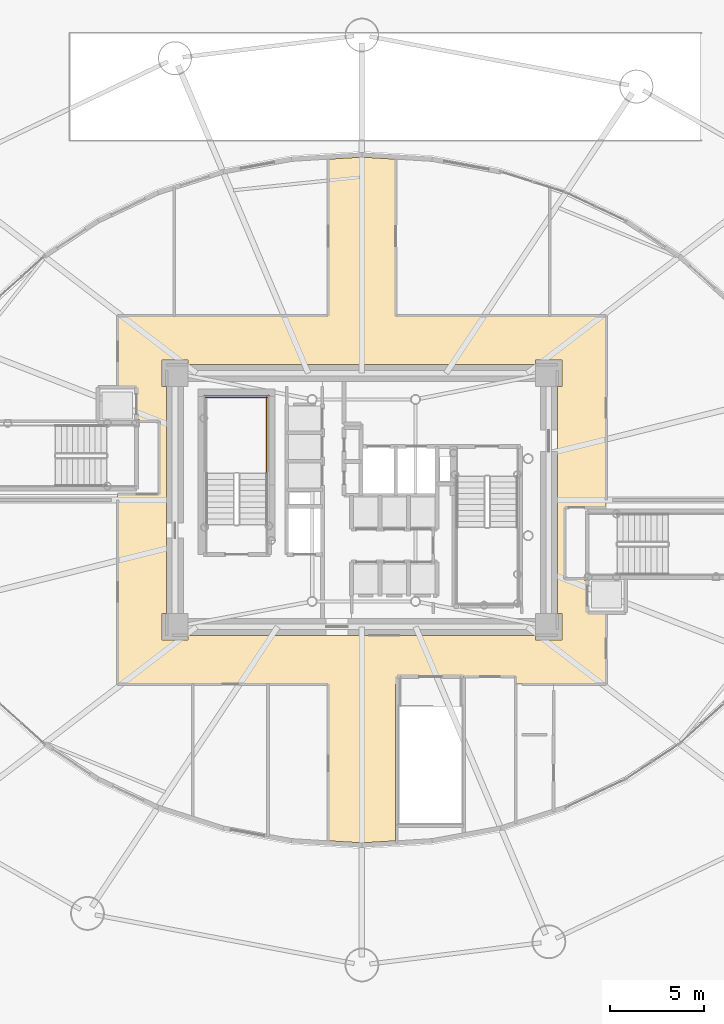
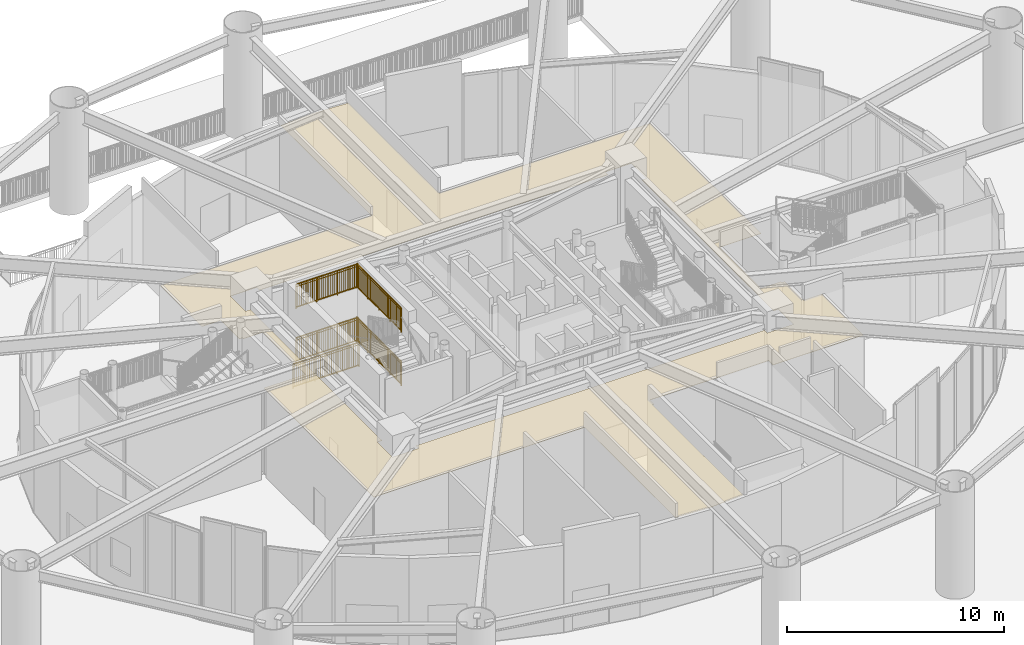
# One storey, part 38 of 46: 5 railings, 1 covering.
"""IFC4 building model written with IfcOpenShell, lengths in metres."""

from ifc_helpers import new_model, si_unit, direction, frame, origin, origin_2d, place, context, subcontext, project, spatial, polyline, rectangle, outline, extrude, source, transform, mapped, material, layer, layer_set, type_object, element, save


model = new_model("IFC4")

# Units and contexts
model_context = context("Model", 3, precision=1e-05, world=origin(), true_north=direction((0.0, 1.0)))
body_context = subcontext(model_context, "Body", "Model", "MODEL_VIEW")
ifc_project = project(units=[si_unit("LENGTHUNIT", "METRE"), si_unit("AREAUNIT", "SQUARE_METRE"), si_unit("VOLUMEUNIT", "CUBIC_METRE"), si_unit("PLANEANGLEUNIT", "RADIAN"), si_unit("MASSUNIT", "GRAM", prefix="KILO")], contexts=[model_context])

# Site, building, storey
site_placement = place(None, origin())
site = spatial("IfcSite", under=ifc_project, at=site_placement, CompositionType="ELEMENT")
building_placement = place(site_placement, origin())
building = spatial("IfcBuilding", under=site, at=building_placement, Name="Linh Dai School and Residence Tower", CompositionType="ELEMENT")
storey_placement = place(building_placement, origin())
storey = spatial("IfcBuildingStorey", under=building, at=storey_placement, Name="L00", CompositionType="ELEMENT", Elevation=0.0)

# Covering
ifc_material_1 = material(Name="Mineral Fibre Acoustic Suspended Ceiling", Category="masonry")
ifc_layer = layer(ifc_material_1, 0.02001953125)
ifc_layer_set = layer_set([ifc_layer], Name="Mineral Fibre Acoustic Suspended Ceiling")
covering_type = type_object("IfcCoveringType", Name="COV-CEIL-AC-20", PredefinedType="CEILING", material=ifc_layer_set)
covering_placement = place(storey_placement, frame((0.0, 0.0, 4.800048828125)))
element("IfcCovering", 1, at=covering_placement, inside=storey, type_object=covering_type, Name="L00 Ground Entrance Concourse and Main Foyer Suspended Ceiling", PredefinedType="CEILING", context=body_context, shape_type="SweptSolid", body=[
    extrude(outline(polyline([(36.0, 8.75), (34.199951171875, 8.859130859375), (34.199951171875, 17.199951171875), (23.0, 17.199951171875), (23.0, 27.300048828125), (25.199951171875, 27.300048828125), (25.199951171875, 31.199951171875), (24.1533203125, 31.199951171875), (24.1533203125, 31.283203125), (24.0, 31.283203125), (24.0, 33.0), (23.0, 33.0), (23.0, 36.800048828125), (34.199951171875, 36.800048828125), (34.199951171875, 45.140869140625), (36.0, 45.25), (37.800048828125, 45.140869140625), (37.800048828125, 36.800048828125), (49.0, 36.800048828125), (49.0, 26.60009765625), (46.800048828125, 26.60009765625), (46.800048828125, 22.800048828125), (47.8466796875, 22.800048828125), (47.8466796875, 22.716796875), (48.0, 22.716796875), (48.0, 21.0), (49.0, 21.0), (49.0, 17.199951171875), (44.199951171875, 17.199951171875), (44.199951171875, 17.60009765625), (37.8798828125, 17.60009765625), (37.8798828125, 17.199951171875), (37.800048828125, 17.199951171875), (37.800048828125, 8.859130859375), (36.0, 8.75)]), holes=[polyline([(26.75, 34.199951171875), (26.75, 34.449951171875), (25.35009765625, 34.449951171875), (25.35009765625, 33.050048828125), (25.60009765625, 33.050048828125), (25.60009765625, 20.949951171875), (25.35009765625, 20.949951171875), (25.35009765625, 19.550048828125), (26.75, 19.550048828125), (26.75, 19.800048828125), (45.25, 19.800048828125), (45.25, 19.550048828125), (46.64990234375, 19.550048828125), (46.64990234375, 20.949951171875), (46.39990234375, 20.949951171875), (46.39990234375, 33.050048828125), (46.64990234375, 33.050048828125), (46.64990234375, 34.449951171875), (45.25, 34.449951171875), (45.25, 34.199951171875), (26.75, 34.199951171875)])]), origin(), (0.0, 0.0, 1.0), 0.02001953125),
])

# Railings
ifc_material_2 = material(Name="Structural Steel S355JR", Category="steel")
railing_type = type_object("IfcRailingType", Name="RL-ST-GUARD-1400", PredefinedType="GUARDRAIL", material=ifc_material_2)
shared_shape_1 = source(origin(), body_context, "Body", "SweptSolid", [
    extrude(rectangle(XDim=0.048095703125, YDim=0.048095703125, at=origin_2d()), frame((0.0, 0.0, 1.3759765625), z_axis=(-1.0, 0.0, 0.0), x_axis=(0.0, -1.0, 0.0)), (0.0, 0.0, 1.0), 3.300048828125),
    extrude(rectangle(XDim=0.048095703125, YDim=0.048095703125, at=origin_2d()), frame((0.0, 0.0, 0.10009765625), z_axis=(-1.0, 0.0, 0.0), x_axis=(0.0, -1.0, 0.0)), (0.0, 0.0, 1.0), 3.300048828125),
    extrude(rectangle(XDim=0.030029296875, YDim=0.030029296875, at=origin_2d()), frame((0.0, 0.0, 1.239990234375), z_axis=(-1.0, 0.0, 0.0), x_axis=(0.0, -1.0, 0.0)), (0.0, 0.0, 1.0), 3.300048828125),
    extrude(rectangle(XDim=0.02001953125, YDim=0.02001953125, at=origin_2d()), frame((-0.09716796875, 0.0, 0.10009765625)), (0.0, 0.0, 1.0), 1.251708984375),
    extrude(rectangle(XDim=0.02001953125, YDim=0.02001953125, at=origin_2d()), frame((-0.194091796875, 0.0, 0.10009765625)), (0.0, 0.0, 1.0), 1.251708984375),
    extrude(rectangle(XDim=0.02001953125, YDim=0.02001953125, at=origin_2d()), frame((-0.291259765625, 0.0, 0.10009765625)), (0.0, 0.0, 1.0), 1.251708984375),
    extrude(rectangle(XDim=0.02001953125, YDim=0.02001953125, at=origin_2d()), frame((-0.38818359375, 0.0, 0.10009765625)), (0.0, 0.0, 1.0), 1.251708984375),
    extrude(rectangle(XDim=0.02001953125, YDim=0.02001953125, at=origin_2d()), frame((-0.4853515625, 0.0, 0.10009765625)), (0.0, 0.0, 1.0), 1.251708984375),
    extrude(rectangle(XDim=0.02001953125, YDim=0.02001953125, at=origin_2d()), frame((-0.582275390625, 0.0, 0.10009765625)), (0.0, 0.0, 1.0), 1.251708984375),
    extrude(rectangle(XDim=0.02001953125, YDim=0.02001953125, at=origin_2d()), frame((-0.679443359375, 0.0, 0.10009765625)), (0.0, 0.0, 1.0), 1.251708984375),
    extrude(rectangle(XDim=0.02001953125, YDim=0.02001953125, at=origin_2d()), frame((-0.7763671875, 0.0, 0.10009765625)), (0.0, 0.0, 1.0), 1.251708984375),
    extrude(rectangle(XDim=0.02001953125, YDim=0.02001953125, at=origin_2d()), frame((-0.87353515625, 0.0, 0.10009765625)), (0.0, 0.0, 1.0), 1.251708984375),
    extrude(rectangle(XDim=0.02001953125, YDim=0.02001953125, at=origin_2d()), frame((-0.970703125, 0.0, 0.10009765625)), (0.0, 0.0, 1.0), 1.251708984375),
    extrude(rectangle(XDim=0.02001953125, YDim=0.02001953125, at=origin_2d()), frame((-1.164794921875, 0.0, 0.10009765625)), (0.0, 0.0, 1.0), 1.251708984375),
    extrude(rectangle(XDim=0.02001953125, YDim=0.02001953125, at=origin_2d()), frame((-1.26171875, 0.0, 0.10009765625)), (0.0, 0.0, 1.0), 1.251708984375),
    extrude(rectangle(XDim=0.02001953125, YDim=0.02001953125, at=origin_2d()), frame((-1.35888671875, 0.0, 0.10009765625)), (0.0, 0.0, 1.0), 1.251708984375),
    extrude(rectangle(XDim=0.02001953125, YDim=0.02001953125, at=origin_2d()), frame((-1.455810546875, 0.0, 0.10009765625)), (0.0, 0.0, 1.0), 1.251708984375),
    extrude(rectangle(XDim=0.02001953125, YDim=0.02001953125, at=origin_2d()), frame((-1.552978515625, 0.0, 0.10009765625)), (0.0, 0.0, 1.0), 1.251708984375),
    extrude(rectangle(XDim=0.02001953125, YDim=0.02001953125, at=origin_2d()), frame((-1.64990234375, 0.0, 0.10009765625)), (0.0, 0.0, 1.0), 1.251708984375),
    extrude(rectangle(XDim=0.02001953125, YDim=0.02001953125, at=origin_2d()), frame((-1.7470703125, 0.0, 0.10009765625)), (0.0, 0.0, 1.0), 1.251708984375),
    extrude(rectangle(XDim=0.02001953125, YDim=0.02001953125, at=origin_2d()), frame((-1.84423828125, 0.0, 0.10009765625)), (0.0, 0.0, 1.0), 1.251708984375),
    extrude(rectangle(XDim=0.02001953125, YDim=0.02001953125, at=origin_2d()), frame((-1.941162109375, 0.0, 0.10009765625)), (0.0, 0.0, 1.0), 1.251708984375),
    extrude(rectangle(XDim=0.02001953125, YDim=0.02001953125, at=origin_2d()), frame((-2.038330078125, 0.0, 0.10009765625)), (0.0, 0.0, 1.0), 1.251708984375),
    extrude(rectangle(XDim=0.02001953125, YDim=0.02001953125, at=origin_2d()), frame((-2.13525390625, 0.0, 0.10009765625)), (0.0, 0.0, 1.0), 1.251708984375),
    extrude(rectangle(XDim=0.02001953125, YDim=0.02001953125, at=origin_2d()), frame((-2.329345703125, 0.0, 0.10009765625)), (0.0, 0.0, 1.0), 1.251708984375),
    extrude(rectangle(XDim=0.02001953125, YDim=0.02001953125, at=origin_2d()), frame((-2.426513671875, 0.0, 0.10009765625)), (0.0, 0.0, 1.0), 1.251708984375),
    extrude(rectangle(XDim=0.02001953125, YDim=0.02001953125, at=origin_2d()), frame((-2.523681640625, 0.0, 0.10009765625)), (0.0, 0.0, 1.0), 1.251708984375),
    extrude(rectangle(XDim=0.02001953125, YDim=0.02001953125, at=origin_2d()), frame((-2.62060546875, 0.0, 0.10009765625)), (0.0, 0.0, 1.0), 1.251708984375),
    extrude(rectangle(XDim=0.02001953125, YDim=0.02001953125, at=origin_2d()), frame((-2.7177734375, 0.0, 0.10009765625)), (0.0, 0.0, 1.0), 1.251708984375),
    extrude(rectangle(XDim=0.02001953125, YDim=0.02001953125, at=origin_2d()), frame((-2.814697265625, 0.0, 0.10009765625)), (0.0, 0.0, 1.0), 1.251708984375),
    extrude(rectangle(XDim=0.02001953125, YDim=0.02001953125, at=origin_2d()), frame((-2.911865234375, 0.0, 0.10009765625)), (0.0, 0.0, 1.0), 1.251708984375),
    extrude(rectangle(XDim=0.02001953125, YDim=0.02001953125, at=origin_2d()), frame((-3.0087890625, 0.0, 0.10009765625)), (0.0, 0.0, 1.0), 1.251708984375),
    extrude(rectangle(XDim=0.02001953125, YDim=0.02001953125, at=origin_2d()), frame((-3.10595703125, 0.0, 0.10009765625)), (0.0, 0.0, 1.0), 1.251708984375),
    extrude(rectangle(XDim=0.02001953125, YDim=0.02001953125, at=origin_2d()), frame((-3.202880859375, 0.0, 0.10009765625)), (0.0, 0.0, 1.0), 1.251708984375),
    extrude(rectangle(XDim=0.0419921875, YDim=0.0419921875, at=origin_2d()), origin(), (0.0, 0.0, 1.0), 1.3759765625),
    extrude(rectangle(XDim=0.0419921875, YDim=0.0419921875, at=origin_2d()), frame((-1.10009765625, 0.0, 0.0)), (0.0, 0.0, 1.0), 1.3759765625),
    extrude(rectangle(XDim=0.0419921875, YDim=0.0419921875, at=origin_2d()), frame((-2.199951171875, 0.0, 0.0)), (0.0, 0.0, 1.0), 1.3759765625),
    extrude(rectangle(XDim=0.0419921875, YDim=0.0419921875, at=origin_2d()), frame((-3.300048828125, 0.0, 0.0)), (0.0, 0.0, 1.0), 1.3759765625),
])
for number, where, name in (
    (2, (30.97998046875, 32.449951171875, 1.5), "L00 ST1 stair guard 5"),
    (3, (30.97998046875, 32.449951171875, 4.5), "L00 ST1 stair guard 14"),
):
    element("IfcRailing", number, at=place(storey_placement, frame(where)), inside=storey, type_object=railing_type, Name=name, PredefinedType="GUARDRAIL", context=body_context, shape_type="MappedRepresentation", body=[
        mapped(shared_shape_1, transform((0.0, 0.0, 0.0), x_axis=(1.0, 0.0, 0.0), y_axis=(0.0, 1.0, 0.0), z_axis=(0.0, 0.0, 1.0), scale=1.0)),
    ])
shared_shape_2 = source(origin(), body_context, "Body", "SweptSolid", [
    extrude(rectangle(XDim=0.048095703125, YDim=0.048095703125, at=origin_2d()), frame((0.0, 0.0, 1.3759765625), z_axis=(-1.0, 0.0, 0.0), x_axis=(0.0, -1.0, 0.0)), (0.0, 0.0, 1.0), 3.5),
    extrude(rectangle(XDim=0.048095703125, YDim=0.048095703125, at=origin_2d()), frame((0.0, 0.0, 0.10009765625), z_axis=(-1.0, 0.0, 0.0), x_axis=(0.0, -1.0, 0.0)), (0.0, 0.0, 1.0), 3.5),
    extrude(rectangle(XDim=0.030029296875, YDim=0.030029296875, at=origin_2d()), frame((0.0, 0.0, 1.239990234375), z_axis=(-1.0, 0.0, 0.0), x_axis=(0.0, -1.0, 0.0)), (0.0, 0.0, 1.0), 3.5),
    extrude(rectangle(XDim=0.02001953125, YDim=0.02001953125, at=origin_2d()), frame((-0.09716796875, 0.0, 0.10009765625)), (0.0, 0.0, 1.0), 1.251708984375),
    extrude(rectangle(XDim=0.02001953125, YDim=0.02001953125, at=origin_2d()), frame((-0.1943359375, 0.0, 0.10009765625)), (0.0, 0.0, 1.0), 1.251708984375),
    extrude(rectangle(XDim=0.02001953125, YDim=0.02001953125, at=origin_2d()), frame((-0.291748046875, 0.0, 0.10009765625)), (0.0, 0.0, 1.0), 1.251708984375),
    extrude(rectangle(XDim=0.02001953125, YDim=0.02001953125, at=origin_2d()), frame((-0.388916015625, 0.0, 0.10009765625)), (0.0, 0.0, 1.0), 1.251708984375),
    extrude(rectangle(XDim=0.02001953125, YDim=0.02001953125, at=origin_2d()), frame((-0.486083984375, 0.0, 0.10009765625)), (0.0, 0.0, 1.0), 1.251708984375),
    extrude(rectangle(XDim=0.02001953125, YDim=0.02001953125, at=origin_2d()), frame((-0.583251953125, 0.0, 0.10009765625)), (0.0, 0.0, 1.0), 1.251708984375),
    extrude(rectangle(XDim=0.02001953125, YDim=0.02001953125, at=origin_2d()), frame((-0.6806640625, 0.0, 0.10009765625)), (0.0, 0.0, 1.0), 1.251708984375),
    extrude(rectangle(XDim=0.02001953125, YDim=0.02001953125, at=origin_2d()), frame((-0.77783203125, 0.0, 0.10009765625)), (0.0, 0.0, 1.0), 1.251708984375),
    extrude(rectangle(XDim=0.02001953125, YDim=0.02001953125, at=origin_2d()), frame((-0.875, 0.0, 0.10009765625)), (0.0, 0.0, 1.0), 1.251708984375),
    extrude(rectangle(XDim=0.02001953125, YDim=0.02001953125, at=origin_2d()), frame((-0.97216796875, 0.0, 0.10009765625)), (0.0, 0.0, 1.0), 1.251708984375),
    extrude(rectangle(XDim=0.02001953125, YDim=0.02001953125, at=origin_2d()), frame((-1.0693359375, 0.0, 0.10009765625)), (0.0, 0.0, 1.0), 1.251708984375),
    extrude(rectangle(XDim=0.02001953125, YDim=0.02001953125, at=origin_2d()), frame((-1.263916015625, 0.0, 0.10009765625)), (0.0, 0.0, 1.0), 1.251708984375),
    extrude(rectangle(XDim=0.02001953125, YDim=0.02001953125, at=origin_2d()), frame((-1.361083984375, 0.0, 0.10009765625)), (0.0, 0.0, 1.0), 1.251708984375),
    extrude(rectangle(XDim=0.02001953125, YDim=0.02001953125, at=origin_2d()), frame((-1.458251953125, 0.0, 0.10009765625)), (0.0, 0.0, 1.0), 1.251708984375),
    extrude(rectangle(XDim=0.02001953125, YDim=0.02001953125, at=origin_2d()), frame((-1.5556640625, 0.0, 0.10009765625)), (0.0, 0.0, 1.0), 1.251708984375),
    extrude(rectangle(XDim=0.02001953125, YDim=0.02001953125, at=origin_2d()), frame((-1.65283203125, 0.0, 0.10009765625)), (0.0, 0.0, 1.0), 1.251708984375),
    extrude(rectangle(XDim=0.02001953125, YDim=0.02001953125, at=origin_2d()), frame((-1.75, 0.0, 0.10009765625)), (0.0, 0.0, 1.0), 1.251708984375),
    extrude(rectangle(XDim=0.02001953125, YDim=0.02001953125, at=origin_2d()), frame((-1.84716796875, 0.0, 0.10009765625)), (0.0, 0.0, 1.0), 1.251708984375),
    extrude(rectangle(XDim=0.02001953125, YDim=0.02001953125, at=origin_2d()), frame((-1.9443359375, 0.0, 0.10009765625)), (0.0, 0.0, 1.0), 1.251708984375),
    extrude(rectangle(XDim=0.02001953125, YDim=0.02001953125, at=origin_2d()), frame((-2.041748046875, 0.0, 0.10009765625)), (0.0, 0.0, 1.0), 1.251708984375),
    extrude(rectangle(XDim=0.02001953125, YDim=0.02001953125, at=origin_2d()), frame((-2.138916015625, 0.0, 0.10009765625)), (0.0, 0.0, 1.0), 1.251708984375),
    extrude(rectangle(XDim=0.02001953125, YDim=0.02001953125, at=origin_2d()), frame((-2.236083984375, 0.0, 0.10009765625)), (0.0, 0.0, 1.0), 1.251708984375),
    extrude(rectangle(XDim=0.02001953125, YDim=0.02001953125, at=origin_2d()), frame((-2.4306640625, 0.0, 0.10009765625)), (0.0, 0.0, 1.0), 1.251708984375),
    extrude(rectangle(XDim=0.02001953125, YDim=0.02001953125, at=origin_2d()), frame((-2.52783203125, 0.0, 0.10009765625)), (0.0, 0.0, 1.0), 1.251708984375),
    extrude(rectangle(XDim=0.02001953125, YDim=0.02001953125, at=origin_2d()), frame((-2.625, 0.0, 0.10009765625)), (0.0, 0.0, 1.0), 1.251708984375),
    extrude(rectangle(XDim=0.02001953125, YDim=0.02001953125, at=origin_2d()), frame((-2.72216796875, 0.0, 0.10009765625)), (0.0, 0.0, 1.0), 1.251708984375),
    extrude(rectangle(XDim=0.02001953125, YDim=0.02001953125, at=origin_2d()), frame((-2.8193359375, 0.0, 0.10009765625)), (0.0, 0.0, 1.0), 1.251708984375),
    extrude(rectangle(XDim=0.02001953125, YDim=0.02001953125, at=origin_2d()), frame((-2.916748046875, 0.0, 0.10009765625)), (0.0, 0.0, 1.0), 1.251708984375),
    extrude(rectangle(XDim=0.02001953125, YDim=0.02001953125, at=origin_2d()), frame((-3.013916015625, 0.0, 0.10009765625)), (0.0, 0.0, 1.0), 1.251708984375),
    extrude(rectangle(XDim=0.02001953125, YDim=0.02001953125, at=origin_2d()), frame((-3.111083984375, 0.0, 0.10009765625)), (0.0, 0.0, 1.0), 1.251708984375),
    extrude(rectangle(XDim=0.02001953125, YDim=0.02001953125, at=origin_2d()), frame((-3.208251953125, 0.0, 0.10009765625)), (0.0, 0.0, 1.0), 1.251708984375),
    extrude(rectangle(XDim=0.02001953125, YDim=0.02001953125, at=origin_2d()), frame((-3.3056640625, 0.0, 0.10009765625)), (0.0, 0.0, 1.0), 1.251708984375),
    extrude(rectangle(XDim=0.02001953125, YDim=0.02001953125, at=origin_2d()), frame((-3.40283203125, 0.0, 0.10009765625)), (0.0, 0.0, 1.0), 1.251708984375),
    extrude(rectangle(XDim=0.0419921875, YDim=0.0419921875, at=origin_2d()), origin(), (0.0, 0.0, 1.0), 1.3759765625),
    extrude(rectangle(XDim=0.0419921875, YDim=0.0419921875, at=origin_2d()), frame((-1.166748046875, 0.0, 0.0)), (0.0, 0.0, 1.0), 1.3759765625),
    extrude(rectangle(XDim=0.0419921875, YDim=0.0419921875, at=origin_2d()), frame((-2.333251953125, 0.0, 0.0)), (0.0, 0.0, 1.0), 1.3759765625),
    extrude(rectangle(XDim=0.0419921875, YDim=0.0419921875, at=origin_2d()), frame((-3.5, 0.0, 0.0)), (0.0, 0.0, 1.0), 1.3759765625),
])
railing_placement = place(storey_placement, frame((31.080078125, 32.550048828125, 0.0)))
element("IfcRailing", 4, at=railing_placement, inside=storey, type_object=railing_type, Name="L00 ST1 stair guard 21", PredefinedType="GUARDRAIL", context=body_context, shape_type="MappedRepresentation", body=[
    mapped(shared_shape_2, transform((0.0, 0.0, 0.0), x_axis=(1.0, 0.0, 0.0), y_axis=(0.0, 1.0, 0.0), z_axis=(0.0, 0.0, 1.0), scale=1.0)),
])
shared_shape_3 = source(origin(), body_context, "Body", "SweptSolid", [
    extrude(rectangle(XDim=0.048095703125, YDim=0.048095703125, at=origin_2d()), frame((0.0, 0.0, 1.3759765625), z_axis=(0.0, 1.0, 0.0), x_axis=(-1.0, 0.0, 0.0)), (0.0, 0.0, 1.0), 4.10009765625),
    extrude(rectangle(XDim=0.048095703125, YDim=0.048095703125, at=origin_2d()), frame((0.0, 0.0, 0.10009765625), z_axis=(0.0, 1.0, 0.0), x_axis=(-1.0, 0.0, 0.0)), (0.0, 0.0, 1.0), 4.10009765625),
    extrude(rectangle(XDim=0.030029296875, YDim=0.030029296875, at=origin_2d()), frame((0.0, 0.0, 1.239990234375), z_axis=(0.0, 1.0, 0.0), x_axis=(-1.0, 0.0, 0.0)), (0.0, 0.0, 1.0), 4.10009765625),
    extrude(rectangle(XDim=0.02001953125, YDim=0.02001953125, at=origin_2d()), frame((0.0, 0.09765625, 0.10009765625)), (0.0, 0.0, 1.0), 1.251708984375),
    extrude(rectangle(XDim=0.02001953125, YDim=0.02001953125, at=origin_2d()), frame((0.0, 0.1953125, 0.10009765625)), (0.0, 0.0, 1.0), 1.251708984375),
    extrude(rectangle(XDim=0.02001953125, YDim=0.02001953125, at=origin_2d()), frame((0.0, 0.29296875, 0.10009765625)), (0.0, 0.0, 1.0), 1.251708984375),
    extrude(rectangle(XDim=0.02001953125, YDim=0.02001953125, at=origin_2d()), frame((0.0, 0.390380859375, 0.10009765625)), (0.0, 0.0, 1.0), 1.251708984375),
    extrude(rectangle(XDim=0.02001953125, YDim=0.02001953125, at=origin_2d()), frame((0.0, 0.488037109375, 0.10009765625)), (0.0, 0.0, 1.0), 1.251708984375),
    extrude(rectangle(XDim=0.02001953125, YDim=0.02001953125, at=origin_2d()), frame((0.0, 0.585693359375, 0.10009765625)), (0.0, 0.0, 1.0), 1.251708984375),
    extrude(rectangle(XDim=0.02001953125, YDim=0.02001953125, at=origin_2d()), frame((0.0, 0.683349609375, 0.10009765625)), (0.0, 0.0, 1.0), 1.251708984375),
    extrude(rectangle(XDim=0.02001953125, YDim=0.02001953125, at=origin_2d()), frame((0.0, 0.781005859375, 0.10009765625)), (0.0, 0.0, 1.0), 1.251708984375),
    extrude(rectangle(XDim=0.02001953125, YDim=0.02001953125, at=origin_2d()), frame((0.0, 0.878662109375, 0.10009765625)), (0.0, 0.0, 1.0), 1.251708984375),
    extrude(rectangle(XDim=0.02001953125, YDim=0.02001953125, at=origin_2d()), frame((0.0, 0.976318359375, 0.10009765625)), (0.0, 0.0, 1.0), 1.251708984375),
    extrude(rectangle(XDim=0.02001953125, YDim=0.02001953125, at=origin_2d()), frame((0.0, 1.07373046875, 0.10009765625)), (0.0, 0.0, 1.0), 1.251708984375),
    extrude(rectangle(XDim=0.02001953125, YDim=0.02001953125, at=origin_2d()), frame((0.0, 1.17138671875, 0.10009765625)), (0.0, 0.0, 1.0), 1.251708984375),
    extrude(rectangle(XDim=0.02001953125, YDim=0.02001953125, at=origin_2d()), frame((0.0, 1.26904296875, 0.10009765625)), (0.0, 0.0, 1.0), 1.251708984375),
    extrude(rectangle(XDim=0.02001953125, YDim=0.02001953125, at=origin_2d()), frame((0.0, 1.36669921875, 0.10009765625)), (0.0, 0.0, 1.0), 1.251708984375),
    extrude(rectangle(XDim=0.02001953125, YDim=0.02001953125, at=origin_2d()), frame((0.0, 1.46435546875, 0.10009765625)), (0.0, 0.0, 1.0), 1.251708984375),
    extrude(rectangle(XDim=0.02001953125, YDim=0.02001953125, at=origin_2d()), frame((0.0, 1.56201171875, 0.10009765625)), (0.0, 0.0, 1.0), 1.251708984375),
    extrude(rectangle(XDim=0.02001953125, YDim=0.02001953125, at=origin_2d()), frame((0.0, 1.65966796875, 0.10009765625)), (0.0, 0.0, 1.0), 1.251708984375),
    extrude(rectangle(XDim=0.02001953125, YDim=0.02001953125, at=origin_2d()), frame((0.0, 1.757080078125, 0.10009765625)), (0.0, 0.0, 1.0), 1.251708984375),
    extrude(rectangle(XDim=0.02001953125, YDim=0.02001953125, at=origin_2d()), frame((0.0, 1.854736328125, 0.10009765625)), (0.0, 0.0, 1.0), 1.251708984375),
    extrude(rectangle(XDim=0.02001953125, YDim=0.02001953125, at=origin_2d()), frame((0.0, 1.952392578125, 0.10009765625)), (0.0, 0.0, 1.0), 1.251708984375),
    extrude(rectangle(XDim=0.02001953125, YDim=0.02001953125, at=origin_2d()), frame((0.0, 2.147705078125, 0.10009765625)), (0.0, 0.0, 1.0), 1.251708984375),
    extrude(rectangle(XDim=0.02001953125, YDim=0.02001953125, at=origin_2d()), frame((0.0, 2.245361328125, 0.10009765625)), (0.0, 0.0, 1.0), 1.251708984375),
    extrude(rectangle(XDim=0.02001953125, YDim=0.02001953125, at=origin_2d()), frame((0.0, 2.343017578125, 0.10009765625)), (0.0, 0.0, 1.0), 1.251708984375),
    extrude(rectangle(XDim=0.02001953125, YDim=0.02001953125, at=origin_2d()), frame((0.0, 2.4404296875, 0.10009765625)), (0.0, 0.0, 1.0), 1.251708984375),
    extrude(rectangle(XDim=0.02001953125, YDim=0.02001953125, at=origin_2d()), frame((0.0, 2.5380859375, 0.10009765625)), (0.0, 0.0, 1.0), 1.251708984375),
    extrude(rectangle(XDim=0.02001953125, YDim=0.02001953125, at=origin_2d()), frame((0.0, 2.6357421875, 0.10009765625)), (0.0, 0.0, 1.0), 1.251708984375),
    extrude(rectangle(XDim=0.02001953125, YDim=0.02001953125, at=origin_2d()), frame((0.0, 2.7333984375, 0.10009765625)), (0.0, 0.0, 1.0), 1.251708984375),
    extrude(rectangle(XDim=0.02001953125, YDim=0.02001953125, at=origin_2d()), frame((0.0, 2.8310546875, 0.10009765625)), (0.0, 0.0, 1.0), 1.251708984375),
    extrude(rectangle(XDim=0.02001953125, YDim=0.02001953125, at=origin_2d()), frame((0.0, 2.9287109375, 0.10009765625)), (0.0, 0.0, 1.0), 1.251708984375),
    extrude(rectangle(XDim=0.02001953125, YDim=0.02001953125, at=origin_2d()), frame((0.0, 3.0263671875, 0.10009765625)), (0.0, 0.0, 1.0), 1.251708984375),
    extrude(rectangle(XDim=0.02001953125, YDim=0.02001953125, at=origin_2d()), frame((0.0, 3.123779296875, 0.10009765625)), (0.0, 0.0, 1.0), 1.251708984375),
    extrude(rectangle(XDim=0.02001953125, YDim=0.02001953125, at=origin_2d()), frame((0.0, 3.221435546875, 0.10009765625)), (0.0, 0.0, 1.0), 1.251708984375),
    extrude(rectangle(XDim=0.02001953125, YDim=0.02001953125, at=origin_2d()), frame((0.0, 3.319091796875, 0.10009765625)), (0.0, 0.0, 1.0), 1.251708984375),
    extrude(rectangle(XDim=0.02001953125, YDim=0.02001953125, at=origin_2d()), frame((0.0, 3.416748046875, 0.10009765625)), (0.0, 0.0, 1.0), 1.251708984375),
    extrude(rectangle(XDim=0.02001953125, YDim=0.02001953125, at=origin_2d()), frame((0.0, 3.514404296875, 0.10009765625)), (0.0, 0.0, 1.0), 1.251708984375),
    extrude(rectangle(XDim=0.02001953125, YDim=0.02001953125, at=origin_2d()), frame((0.0, 3.612060546875, 0.10009765625)), (0.0, 0.0, 1.0), 1.251708984375),
    extrude(rectangle(XDim=0.02001953125, YDim=0.02001953125, at=origin_2d()), frame((0.0, 3.709716796875, 0.10009765625)), (0.0, 0.0, 1.0), 1.251708984375),
    extrude(rectangle(XDim=0.02001953125, YDim=0.02001953125, at=origin_2d()), frame((0.0, 3.80712890625, 0.10009765625)), (0.0, 0.0, 1.0), 1.251708984375),
    extrude(rectangle(XDim=0.02001953125, YDim=0.02001953125, at=origin_2d()), frame((0.0, 3.90478515625, 0.10009765625)), (0.0, 0.0, 1.0), 1.251708984375),
    extrude(rectangle(XDim=0.02001953125, YDim=0.02001953125, at=origin_2d()), frame((0.0, 4.00244140625, 0.10009765625)), (0.0, 0.0, 1.0), 1.251708984375),
    extrude(rectangle(XDim=0.0419921875, YDim=0.0419921875, at=origin_2d()), origin(), (0.0, 0.0, 1.0), 1.3759765625),
    extrude(rectangle(XDim=0.0419921875, YDim=0.0419921875, at=origin_2d()), frame((0.0, 1.02490234375, 0.0)), (0.0, 0.0, 1.0), 1.3759765625),
    extrude(rectangle(XDim=0.0419921875, YDim=0.0419921875, at=origin_2d()), frame((0.0, 2.050048828125, 0.0)), (0.0, 0.0, 1.0), 1.3759765625),
    extrude(rectangle(XDim=0.0419921875, YDim=0.0419921875, at=origin_2d()), frame((0.0, 3.0751953125, 0.0)), (0.0, 0.0, 1.0), 1.3759765625),
    extrude(rectangle(XDim=0.0419921875, YDim=0.0419921875, at=origin_2d()), frame((0.0, 4.10009765625, 0.0)), (0.0, 0.0, 1.0), 1.3759765625),
])
for number, where, name in (
    (5, (30.929931640625, 28.39990234375, 1.5), "L00 ST1 stair guard 3"),
    (6, (30.929931640625, 28.39990234375, 4.5), "L00 ST1 stair guard 12"),
):
    element("IfcRailing", number, at=place(storey_placement, frame(where)), inside=storey, type_object=railing_type, Name=name, PredefinedType="GUARDRAIL", context=body_context, shape_type="MappedRepresentation", body=[
        mapped(shared_shape_3, transform((0.0, 0.0, 0.0), x_axis=(1.0, 0.0, 0.0), y_axis=(0.0, 1.0, 0.0), z_axis=(0.0, 0.0, 1.0), scale=1.0)),
    ])

save(model, "model.ifc")
